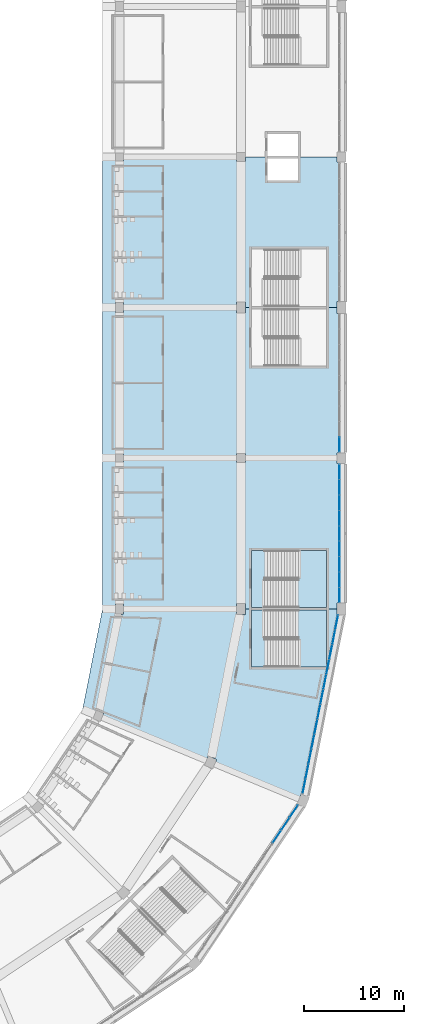
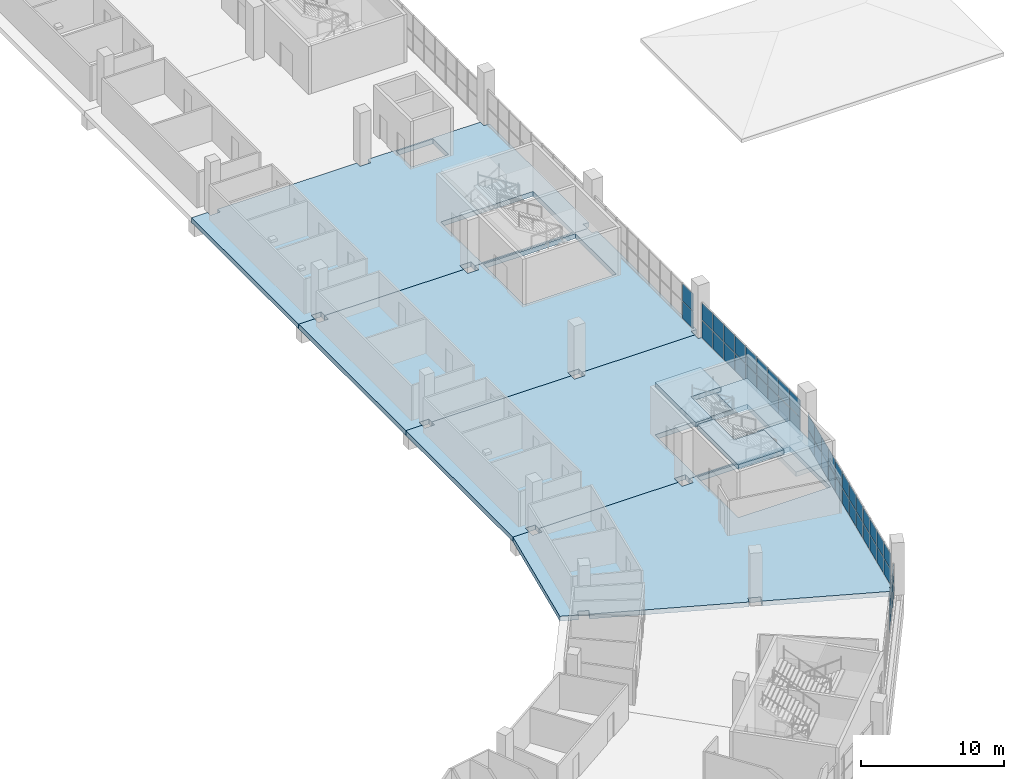
# One storey, part 64 of 199: 50 plates, 8 slabs, 6 elements without a shape of their own.
"""IFC4 building model written with IfcOpenShell, lengths in metres."""

from ifc_helpers import new_model, si_unit, direction, frame, origin, origin_2d, place, context, subcontext, project, spatial, polyline, rectangle, outline, extrude, material, layer, layer_set, type_object, element, aggregate, save


model = new_model("IFC4")

# Units and contexts
model_context = context("Model", 3, precision=1e-05, world=origin(), true_north=direction((0.0, 1.0)))
body_context = subcontext(model_context, "Body", "Model", "MODEL_VIEW")
ifc_project = project(units=[si_unit("LENGTHUNIT", "METRE"), si_unit("AREAUNIT", "SQUARE_METRE"), si_unit("VOLUMEUNIT", "CUBIC_METRE"), si_unit("PLANEANGLEUNIT", "RADIAN"), si_unit("MASSUNIT", "GRAM", prefix="KILO")], contexts=[model_context])

# Site, building, storey
site_placement = place(None, origin())
site = spatial("IfcSite", under=ifc_project, at=site_placement, CompositionType="ELEMENT")
building_placement = place(site_placement, origin())
building = spatial("IfcBuilding", under=site, at=building_placement, Name="Ogive Plaza Stadium", CompositionType="ELEMENT")
storey_placement = place(building_placement, frame((0.0, 0.0, 4.5)))
storey = spatial("IfcBuildingStorey", under=building, at=storey_placement, Name="L01", CompositionType="ELEMENT", Elevation=4.5)

# Curtain wall, plates
ifc_material_1 = material(Name="Bronze-anodised aluminium with laminated glass", Category="aluminium")
curtain_wall_type = type_object("IfcCurtainWallType", Name="Lancet curtain wall", PredefinedType="NOTDEFINED", material=ifc_material_1)
curtain_wall_1_placement = place(storey_placement, origin())
curtain_wall_1 = element("IfcCurtainWall", 1, at=curtain_wall_1_placement, inside=storey, type_object=curtain_wall_type, Name="CURTAIN WALL B06 L01", PredefinedType="NOTDEFINED")
ifc_material_2 = material(Name="Laminated glass", Category="glass")
ifc_layer_1 = layer(ifc_material_2, 0.028076171875)
ifc_layer_set_1 = layer_set([ifc_layer_1], Name="Laminated glass panel 28")
plate_type = type_object("IfcPlateType", Name="Laminated glass panel 28", PredefinedType="CURTAIN_PANEL", material=ifc_layer_set_1)
plate_1_placement = place(storey_placement, frame((83.800048828125, -36.120849609375, 0.0498046875), z_axis=(0.0, 0.0, 1.0), x_axis=(0.0, -1.0, 0.0)))
plate_1 = element("IfcPlate", 2, at=plate_1_placement, type_object=plate_type, Name="CW-B06-L01 panel 9.1", PredefinedType="CURTAIN_PANEL", context=body_context, shape_type="SweptSolid", body=[
    extrude(rectangle(XDim=1.458251953125, YDim=0.028076171875, at=origin_2d()), origin(), (0.0, 0.0, 1.0), 1.469970703125),
])
plate_2_placement = place(storey_placement, frame((83.800048828125, -36.120849609375, 1.56982421875), z_axis=(0.0, 0.0, 1.0), x_axis=(0.0, -1.0, 0.0)))
plate_2 = element("IfcPlate", 3, at=plate_2_placement, type_object=plate_type, Name="CW-B06-L01 panel 9.2", PredefinedType="CURTAIN_PANEL", context=body_context, shape_type="SweptSolid", body=[
    extrude(rectangle(XDim=1.458251953125, YDim=0.028076171875, at=origin_2d()), origin(), (0.0, 0.0, 1.0), 1.469970703125),
])
aggregate(curtain_wall_1, [plate_1, plate_2])

curtain_wall_2_placement = place(storey_placement, origin())
curtain_wall_2 = element("IfcCurtainWall", 4, at=curtain_wall_2_placement, inside=storey, type_object=curtain_wall_type, Name="CURTAIN WALL B07 L01", PredefinedType="NOTDEFINED")
plate_3_placement = place(storey_placement, frame((83.800048828125, -38.879150390625, 0.0498046875), z_axis=(0.0, 0.0, 1.0), x_axis=(0.0, -1.0, 0.0)))
plate_3 = element("IfcPlate", 5, at=plate_3_placement, type_object=plate_type, Name="CW-B07-L01 panel 1.1", PredefinedType="CURTAIN_PANEL", context=body_context, shape_type="SweptSolid", body=[
    extrude(rectangle(XDim=1.458251953125, YDim=0.028076171875, at=origin_2d()), origin(), (0.0, 0.0, 1.0), 1.469970703125),
])
plate_4_placement = place(storey_placement, frame((83.800048828125, -38.879150390625, 1.56982421875), z_axis=(0.0, 0.0, 1.0), x_axis=(0.0, -1.0, 0.0)))
plate_4 = element("IfcPlate", 6, at=plate_4_placement, type_object=plate_type, Name="CW-B07-L01 panel 1.2", PredefinedType="CURTAIN_PANEL", context=body_context, shape_type="SweptSolid", body=[
    extrude(rectangle(XDim=1.458251953125, YDim=0.028076171875, at=origin_2d()), origin(), (0.0, 0.0, 1.0), 1.469970703125),
])
plate_5_placement = place(storey_placement, frame((83.800048828125, -40.39990234375, 0.0498046875), z_axis=(0.0, 0.0, 1.0), x_axis=(0.0, -1.0, 0.0)))
plate_5 = element("IfcPlate", 7, at=plate_5_placement, type_object=plate_type, Name="CW-B07-L01 panel 2.1", PredefinedType="CURTAIN_PANEL", context=body_context, shape_type="SweptSolid", body=[
    extrude(rectangle(XDim=1.4833984375, YDim=0.028076171875, at=origin_2d()), origin(), (0.0, 0.0, 1.0), 1.469970703125),
])
plate_6_placement = place(storey_placement, frame((83.800048828125, -40.39990234375, 1.56982421875), z_axis=(0.0, 0.0, 1.0), x_axis=(0.0, -1.0, 0.0)))
plate_6 = element("IfcPlate", 8, at=plate_6_placement, type_object=plate_type, Name="CW-B07-L01 panel 2.2", PredefinedType="CURTAIN_PANEL", context=body_context, shape_type="SweptSolid", body=[
    extrude(rectangle(XDim=1.4833984375, YDim=0.028076171875, at=origin_2d()), origin(), (0.0, 0.0, 1.0), 1.469970703125),
])
plate_7_placement = place(storey_placement, frame((83.800048828125, -41.933349609375, 0.0498046875), z_axis=(0.0, 0.0, 1.0), x_axis=(0.0, -1.0, 0.0)))
plate_7 = element("IfcPlate", 9, at=plate_7_placement, type_object=plate_type, Name="CW-B07-L01 panel 3.1", PredefinedType="CURTAIN_PANEL", context=body_context, shape_type="SweptSolid", body=[
    extrude(rectangle(XDim=1.4833984375, YDim=0.028076171875, at=origin_2d()), origin(), (0.0, 0.0, 1.0), 1.469970703125),
])
plate_8_placement = place(storey_placement, frame((83.800048828125, -41.933349609375, 1.56982421875), z_axis=(0.0, 0.0, 1.0), x_axis=(0.0, -1.0, 0.0)))
plate_8 = element("IfcPlate", 10, at=plate_8_placement, type_object=plate_type, Name="CW-B07-L01 panel 3.2", PredefinedType="CURTAIN_PANEL", context=body_context, shape_type="SweptSolid", body=[
    extrude(rectangle(XDim=1.4833984375, YDim=0.028076171875, at=origin_2d()), origin(), (0.0, 0.0, 1.0), 1.469970703125),
])
plate_9_placement = place(storey_placement, frame((83.800048828125, -43.466552734375, 0.0498046875), z_axis=(0.0, 0.0, 1.0), x_axis=(0.0, -1.0, 0.0)))
plate_9 = element("IfcPlate", 11, at=plate_9_placement, type_object=plate_type, Name="CW-B07-L01 panel 4.1", PredefinedType="CURTAIN_PANEL", context=body_context, shape_type="SweptSolid", body=[
    extrude(rectangle(XDim=1.4833984375, YDim=0.028076171875, at=origin_2d()), origin(), (0.0, 0.0, 1.0), 1.469970703125),
])
plate_10_placement = place(storey_placement, frame((83.800048828125, -43.466552734375, 1.56982421875), z_axis=(0.0, 0.0, 1.0), x_axis=(0.0, -1.0, 0.0)))
plate_10 = element("IfcPlate", 12, at=plate_10_placement, type_object=plate_type, Name="CW-B07-L01 panel 4.2", PredefinedType="CURTAIN_PANEL", context=body_context, shape_type="SweptSolid", body=[
    extrude(rectangle(XDim=1.4833984375, YDim=0.028076171875, at=origin_2d()), origin(), (0.0, 0.0, 1.0), 1.469970703125),
])
plate_11_placement = place(storey_placement, frame((83.800048828125, -45.0, 0.0498046875), z_axis=(0.0, 0.0, 1.0), x_axis=(0.0, -1.0, 0.0)))
plate_11 = element("IfcPlate", 13, at=plate_11_placement, type_object=plate_type, Name="CW-B07-L01 panel 5.1", PredefinedType="CURTAIN_PANEL", context=body_context, shape_type="SweptSolid", body=[
    extrude(rectangle(XDim=1.4833984375, YDim=0.028076171875, at=origin_2d()), origin(), (0.0, 0.0, 1.0), 1.469970703125),
])
plate_12_placement = place(storey_placement, frame((83.800048828125, -45.0, 1.56982421875), z_axis=(0.0, 0.0, 1.0), x_axis=(0.0, -1.0, 0.0)))
plate_12 = element("IfcPlate", 14, at=plate_12_placement, type_object=plate_type, Name="CW-B07-L01 panel 5.2", PredefinedType="CURTAIN_PANEL", context=body_context, shape_type="SweptSolid", body=[
    extrude(rectangle(XDim=1.4833984375, YDim=0.028076171875, at=origin_2d()), origin(), (0.0, 0.0, 1.0), 1.469970703125),
])
plate_13_placement = place(storey_placement, frame((83.800048828125, -46.533447265625, 0.0498046875), z_axis=(0.0, 0.0, 1.0), x_axis=(0.0, -1.0, 0.0)))
plate_13 = element("IfcPlate", 15, at=plate_13_placement, type_object=plate_type, Name="CW-B07-L01 panel 6.1", PredefinedType="CURTAIN_PANEL", context=body_context, shape_type="SweptSolid", body=[
    extrude(rectangle(XDim=1.4833984375, YDim=0.028076171875, at=origin_2d()), origin(), (0.0, 0.0, 1.0), 1.469970703125),
])
plate_14_placement = place(storey_placement, frame((83.800048828125, -46.533447265625, 1.56982421875), z_axis=(0.0, 0.0, 1.0), x_axis=(0.0, -1.0, 0.0)))
plate_14 = element("IfcPlate", 16, at=plate_14_placement, type_object=plate_type, Name="CW-B07-L01 panel 6.2", PredefinedType="CURTAIN_PANEL", context=body_context, shape_type="SweptSolid", body=[
    extrude(rectangle(XDim=1.4833984375, YDim=0.028076171875, at=origin_2d()), origin(), (0.0, 0.0, 1.0), 1.469970703125),
])
plate_15_placement = place(storey_placement, frame((83.800048828125, -48.066650390625, 0.0498046875), z_axis=(0.0, 0.0, 1.0), x_axis=(0.0, -1.0, 0.0)))
plate_15 = element("IfcPlate", 17, at=plate_15_placement, type_object=plate_type, Name="CW-B07-L01 panel 7.1", PredefinedType="CURTAIN_PANEL", context=body_context, shape_type="SweptSolid", body=[
    extrude(rectangle(XDim=1.4833984375, YDim=0.028076171875, at=origin_2d()), origin(), (0.0, 0.0, 1.0), 1.469970703125),
])
plate_16_placement = place(storey_placement, frame((83.800048828125, -48.066650390625, 1.56982421875), z_axis=(0.0, 0.0, 1.0), x_axis=(0.0, -1.0, 0.0)))
plate_16 = element("IfcPlate", 18, at=plate_16_placement, type_object=plate_type, Name="CW-B07-L01 panel 7.2", PredefinedType="CURTAIN_PANEL", context=body_context, shape_type="SweptSolid", body=[
    extrude(rectangle(XDim=1.4833984375, YDim=0.028076171875, at=origin_2d()), origin(), (0.0, 0.0, 1.0), 1.469970703125),
])
plate_17_placement = place(storey_placement, frame((83.800048828125, -49.60009765625, 0.0498046875), z_axis=(0.0, 0.0, 1.0), x_axis=(0.0, -1.0, 0.0)))
plate_17 = element("IfcPlate", 19, at=plate_17_placement, type_object=plate_type, Name="CW-B07-L01 panel 8.1", PredefinedType="CURTAIN_PANEL", context=body_context, shape_type="SweptSolid", body=[
    extrude(rectangle(XDim=1.4833984375, YDim=0.028076171875, at=origin_2d()), origin(), (0.0, 0.0, 1.0), 1.469970703125),
])
plate_18_placement = place(storey_placement, frame((83.800048828125, -49.60009765625, 1.56982421875), z_axis=(0.0, 0.0, 1.0), x_axis=(0.0, -1.0, 0.0)))
plate_18 = element("IfcPlate", 20, at=plate_18_placement, type_object=plate_type, Name="CW-B07-L01 panel 8.2", PredefinedType="CURTAIN_PANEL", context=body_context, shape_type="SweptSolid", body=[
    extrude(rectangle(XDim=1.4833984375, YDim=0.028076171875, at=origin_2d()), origin(), (0.0, 0.0, 1.0), 1.469970703125),
])
plate_19_placement = place(storey_placement, frame((83.800048828125, -51.120849609375, 0.0498046875), z_axis=(0.0, 0.0, 1.0), x_axis=(0.0, -1.0, 0.0)))
plate_19 = element("IfcPlate", 21, at=plate_19_placement, type_object=plate_type, Name="CW-B07-L01 panel 9.1", PredefinedType="CURTAIN_PANEL", context=body_context, shape_type="SweptSolid", body=[
    extrude(rectangle(XDim=1.458251953125, YDim=0.028076171875, at=origin_2d()), origin(), (0.0, 0.0, 1.0), 1.469970703125),
])
plate_20_placement = place(storey_placement, frame((83.800048828125, -51.120849609375, 1.56982421875), z_axis=(0.0, 0.0, 1.0), x_axis=(0.0, -1.0, 0.0)))
plate_20 = element("IfcPlate", 22, at=plate_20_placement, type_object=plate_type, Name="CW-B07-L01 panel 9.2", PredefinedType="CURTAIN_PANEL", context=body_context, shape_type="SweptSolid", body=[
    extrude(rectangle(XDim=1.458251953125, YDim=0.028076171875, at=origin_2d()), origin(), (0.0, 0.0, 1.0), 1.469970703125),
])
aggregate(curtain_wall_2, [plate_3, plate_4, plate_5, plate_6, plate_7, plate_8, plate_9, plate_10, plate_11, plate_12, plate_13, plate_14, plate_15, plate_16, plate_17, plate_18, plate_19, plate_20])

curtain_wall_3_placement = place(storey_placement, origin())
curtain_wall_3 = element("IfcCurtainWall", 23, at=curtain_wall_3_placement, inside=storey, type_object=curtain_wall_type, Name="CURTAIN WALL B08 L01", PredefinedType="NOTDEFINED")
plate_21_placement = place(storey_placement, frame((83.522705078125, -53.874267578125, 0.0498046875), z_axis=(0.0, 0.0, 1.0), x_axis=(-0.195090322016, -0.980785280403, 0.0)))
plate_21 = element("IfcPlate", 24, at=plate_21_placement, type_object=plate_type, Name="CW-B08-L01 panel 1.1", PredefinedType="CURTAIN_PANEL", context=body_context, shape_type="SweptSolid", body=[
    extrude(rectangle(XDim=1.43896484375, YDim=0.028076171875, at=origin_2d()), origin(), (0.0, 0.0, 1.0), 1.320068359375),
])
plate_22_placement = place(storey_placement, frame((83.522705078125, -53.874267578125, 1.419921875), z_axis=(0.0, 0.0, 1.0), x_axis=(-0.195090322016, -0.980785280403, 0.0)))
plate_22 = element("IfcPlate", 25, at=plate_22_placement, type_object=plate_type, Name="CW-B08-L01 panel 1.2", PredefinedType="CURTAIN_PANEL", context=body_context, shape_type="SweptSolid", body=[
    extrude(rectangle(XDim=1.43896484375, YDim=0.028076171875, at=origin_2d()), origin(), (0.0, 0.0, 1.0), 1.320068359375),
])
plate_23_placement = place(storey_placement, frame((83.229736328125, -55.3466796875, 0.0498046875), z_axis=(0.0, 0.0, 1.0), x_axis=(-0.195090322016, -0.980785280403, 0.0)))
plate_23 = element("IfcPlate", 26, at=plate_23_placement, type_object=plate_type, Name="CW-B08-L01 panel 2.1", PredefinedType="CURTAIN_PANEL", context=body_context, shape_type="SweptSolid", body=[
    extrude(rectangle(XDim=1.4638671875, YDim=0.028076171875, at=origin_2d()), origin(), (0.0, 0.0, 1.0), 1.320068359375),
])
plate_24_placement = place(storey_placement, frame((83.229736328125, -55.3466796875, 1.419921875), z_axis=(0.0, 0.0, 1.0), x_axis=(-0.195090322016, -0.980785280403, 0.0)))
plate_24 = element("IfcPlate", 27, at=plate_24_placement, type_object=plate_type, Name="CW-B08-L01 panel 2.2", PredefinedType="CURTAIN_PANEL", context=body_context, shape_type="SweptSolid", body=[
    extrude(rectangle(XDim=1.4638671875, YDim=0.028076171875, at=origin_2d()), origin(), (0.0, 0.0, 1.0), 1.320068359375),
])
plate_25_placement = place(storey_placement, frame((82.9345703125, -56.831298828125, 0.0498046875), z_axis=(0.0, 0.0, 1.0), x_axis=(-0.195090322016, -0.980785280403, 0.0)))
plate_25 = element("IfcPlate", 28, at=plate_25_placement, type_object=plate_type, Name="CW-B08-L01 panel 3.1", PredefinedType="CURTAIN_PANEL", context=body_context, shape_type="SweptSolid", body=[
    extrude(rectangle(XDim=1.4638671875, YDim=0.028076171875, at=origin_2d()), origin(), (0.0, 0.0, 1.0), 1.320068359375),
])
plate_26_placement = place(storey_placement, frame((82.9345703125, -56.831298828125, 1.419921875), z_axis=(0.0, 0.0, 1.0), x_axis=(-0.195090322016, -0.980785280403, 0.0)))
plate_26 = element("IfcPlate", 29, at=plate_26_placement, type_object=plate_type, Name="CW-B08-L01 panel 3.2", PredefinedType="CURTAIN_PANEL", context=body_context, shape_type="SweptSolid", body=[
    extrude(rectangle(XDim=1.4638671875, YDim=0.028076171875, at=origin_2d()), origin(), (0.0, 0.0, 1.0), 1.320068359375),
])
plate_27_placement = place(storey_placement, frame((82.63916015625, -58.316162109375, 0.0498046875), z_axis=(0.0, 0.0, 1.0), x_axis=(-0.195090322016, -0.980785280403, 0.0)))
plate_27 = element("IfcPlate", 30, at=plate_27_placement, type_object=plate_type, Name="CW-B08-L01 panel 4.1", PredefinedType="CURTAIN_PANEL", context=body_context, shape_type="SweptSolid", body=[
    extrude(rectangle(XDim=1.4638671875, YDim=0.028076171875, at=origin_2d()), origin(), (0.0, 0.0, 1.0), 1.320068359375),
])
plate_28_placement = place(storey_placement, frame((82.63916015625, -58.316162109375, 1.419921875), z_axis=(0.0, 0.0, 1.0), x_axis=(-0.195090322016, -0.980785280403, 0.0)))
plate_28 = element("IfcPlate", 31, at=plate_28_placement, type_object=plate_type, Name="CW-B08-L01 panel 4.2", PredefinedType="CURTAIN_PANEL", context=body_context, shape_type="SweptSolid", body=[
    extrude(rectangle(XDim=1.4638671875, YDim=0.028076171875, at=origin_2d()), origin(), (0.0, 0.0, 1.0), 1.320068359375),
])
plate_29_placement = place(storey_placement, frame((82.34375, -59.801025390625, 0.0498046875), z_axis=(0.0, 0.0, 1.0), x_axis=(-0.195090322016, -0.980785280403, 0.0)))
plate_29 = element("IfcPlate", 32, at=plate_29_placement, type_object=plate_type, Name="CW-B08-L01 panel 5.1", PredefinedType="CURTAIN_PANEL", context=body_context, shape_type="SweptSolid", body=[
    extrude(rectangle(XDim=1.4638671875, YDim=0.028076171875, at=origin_2d()), origin(), (0.0, 0.0, 1.0), 1.320068359375),
])
plate_30_placement = place(storey_placement, frame((82.34375, -59.801025390625, 1.419921875), z_axis=(0.0, 0.0, 1.0), x_axis=(-0.195090322016, -0.980785280403, 0.0)))
plate_30 = element("IfcPlate", 33, at=plate_30_placement, type_object=plate_type, Name="CW-B08-L01 panel 5.2", PredefinedType="CURTAIN_PANEL", context=body_context, shape_type="SweptSolid", body=[
    extrude(rectangle(XDim=1.4638671875, YDim=0.028076171875, at=origin_2d()), origin(), (0.0, 0.0, 1.0), 1.320068359375),
])
plate_31_placement = place(storey_placement, frame((82.048583984375, -61.28564453125, 0.0498046875), z_axis=(0.0, 0.0, 1.0), x_axis=(-0.195090322016, -0.980785280403, 0.0)))
plate_31 = element("IfcPlate", 34, at=plate_31_placement, type_object=plate_type, Name="CW-B08-L01 panel 6.1", PredefinedType="CURTAIN_PANEL", context=body_context, shape_type="SweptSolid", body=[
    extrude(rectangle(XDim=1.4638671875, YDim=0.028076171875, at=origin_2d()), origin(), (0.0, 0.0, 1.0), 1.320068359375),
])
plate_32_placement = place(storey_placement, frame((82.048583984375, -61.28564453125, 1.419921875), z_axis=(0.0, 0.0, 1.0), x_axis=(-0.195090322016, -0.980785280403, 0.0)))
plate_32 = element("IfcPlate", 35, at=plate_32_placement, type_object=plate_type, Name="CW-B08-L01 panel 6.2", PredefinedType="CURTAIN_PANEL", context=body_context, shape_type="SweptSolid", body=[
    extrude(rectangle(XDim=1.4638671875, YDim=0.028076171875, at=origin_2d()), origin(), (0.0, 0.0, 1.0), 1.320068359375),
])
plate_33_placement = place(storey_placement, frame((81.753173828125, -62.7705078125, 0.0498046875), z_axis=(0.0, 0.0, 1.0), x_axis=(-0.195090322016, -0.980785280403, 0.0)))
plate_33 = element("IfcPlate", 36, at=plate_33_placement, type_object=plate_type, Name="CW-B08-L01 panel 7.1", PredefinedType="CURTAIN_PANEL", context=body_context, shape_type="SweptSolid", body=[
    extrude(rectangle(XDim=1.4638671875, YDim=0.028076171875, at=origin_2d()), origin(), (0.0, 0.0, 1.0), 1.320068359375),
])
plate_34_placement = place(storey_placement, frame((81.753173828125, -62.7705078125, 1.419921875), z_axis=(0.0, 0.0, 1.0), x_axis=(-0.195090322016, -0.980785280403, 0.0)))
plate_34 = element("IfcPlate", 37, at=plate_34_placement, type_object=plate_type, Name="CW-B08-L01 panel 7.2", PredefinedType="CURTAIN_PANEL", context=body_context, shape_type="SweptSolid", body=[
    extrude(rectangle(XDim=1.4638671875, YDim=0.028076171875, at=origin_2d()), origin(), (0.0, 0.0, 1.0), 1.320068359375),
])
plate_35_placement = place(storey_placement, frame((81.457763671875, -64.255126953125, 0.0498046875), z_axis=(0.0, 0.0, 1.0), x_axis=(-0.195090322016, -0.980785280403, 0.0)))
plate_35 = element("IfcPlate", 38, at=plate_35_placement, type_object=plate_type, Name="CW-B08-L01 panel 8.1", PredefinedType="CURTAIN_PANEL", context=body_context, shape_type="SweptSolid", body=[
    extrude(rectangle(XDim=1.4638671875, YDim=0.028076171875, at=origin_2d()), origin(), (0.0, 0.0, 1.0), 1.320068359375),
])
plate_36_placement = place(storey_placement, frame((81.457763671875, -64.255126953125, 1.419921875), z_axis=(0.0, 0.0, 1.0), x_axis=(-0.195090322016, -0.980785280403, 0.0)))
plate_36 = element("IfcPlate", 39, at=plate_36_placement, type_object=plate_type, Name="CW-B08-L01 panel 8.2", PredefinedType="CURTAIN_PANEL", context=body_context, shape_type="SweptSolid", body=[
    extrude(rectangle(XDim=1.4638671875, YDim=0.028076171875, at=origin_2d()), origin(), (0.0, 0.0, 1.0), 1.320068359375),
])
plate_37_placement = place(storey_placement, frame((81.16259765625, -65.739990234375, 0.0498046875), z_axis=(0.0, 0.0, 1.0), x_axis=(-0.195090322016, -0.980785280403, 0.0)))
plate_37 = element("IfcPlate", 40, at=plate_37_placement, type_object=plate_type, Name="CW-B08-L01 panel 9.1", PredefinedType="CURTAIN_PANEL", context=body_context, shape_type="SweptSolid", body=[
    extrude(rectangle(XDim=1.4638671875, YDim=0.028076171875, at=origin_2d()), origin(), (0.0, 0.0, 1.0), 1.320068359375),
])
plate_38_placement = place(storey_placement, frame((81.16259765625, -65.739990234375, 1.419921875), z_axis=(0.0, 0.0, 1.0), x_axis=(-0.195090322016, -0.980785280403, 0.0)))
plate_38 = element("IfcPlate", 41, at=plate_38_placement, type_object=plate_type, Name="CW-B08-L01 panel 9.2", PredefinedType="CURTAIN_PANEL", context=body_context, shape_type="SweptSolid", body=[
    extrude(rectangle(XDim=1.4638671875, YDim=0.028076171875, at=origin_2d()), origin(), (0.0, 0.0, 1.0), 1.320068359375),
])
plate_39_placement = place(storey_placement, frame((80.8671875, -67.224609375, 0.0498046875), z_axis=(0.0, 0.0, 1.0), x_axis=(-0.195090322016, -0.980785280403, 0.0)))
plate_39 = element("IfcPlate", 42, at=plate_39_placement, type_object=plate_type, Name="CW-B08-L01 panel 10.1", PredefinedType="CURTAIN_PANEL", context=body_context, shape_type="SweptSolid", body=[
    extrude(rectangle(XDim=1.4638671875, YDim=0.028076171875, at=origin_2d()), origin(), (0.0, 0.0, 1.0), 1.320068359375),
])
plate_40_placement = place(storey_placement, frame((80.8671875, -67.224609375, 1.419921875), z_axis=(0.0, 0.0, 1.0), x_axis=(-0.195090322016, -0.980785280403, 0.0)))
plate_40 = element("IfcPlate", 43, at=plate_40_placement, type_object=plate_type, Name="CW-B08-L01 panel 10.2", PredefinedType="CURTAIN_PANEL", context=body_context, shape_type="SweptSolid", body=[
    extrude(rectangle(XDim=1.4638671875, YDim=0.028076171875, at=origin_2d()), origin(), (0.0, 0.0, 1.0), 1.320068359375),
])
plate_41_placement = place(storey_placement, frame((80.57177734375, -68.70947265625, 0.0498046875), z_axis=(0.0, 0.0, 1.0), x_axis=(-0.195090322016, -0.980785280403, 0.0)))
plate_41 = element("IfcPlate", 44, at=plate_41_placement, type_object=plate_type, Name="CW-B08-L01 panel 11.1", PredefinedType="CURTAIN_PANEL", context=body_context, shape_type="SweptSolid", body=[
    extrude(rectangle(XDim=1.4638671875, YDim=0.028076171875, at=origin_2d()), origin(), (0.0, 0.0, 1.0), 1.320068359375),
])
plate_42_placement = place(storey_placement, frame((80.57177734375, -68.70947265625, 1.419921875), z_axis=(0.0, 0.0, 1.0), x_axis=(-0.195090322016, -0.980785280403, 0.0)))
plate_42 = element("IfcPlate", 45, at=plate_42_placement, type_object=plate_type, Name="CW-B08-L01 panel 11.2", PredefinedType="CURTAIN_PANEL", context=body_context, shape_type="SweptSolid", body=[
    extrude(rectangle(XDim=1.4638671875, YDim=0.028076171875, at=origin_2d()), origin(), (0.0, 0.0, 1.0), 1.320068359375),
])
plate_43_placement = place(storey_placement, frame((80.27880859375, -70.181884765625, 0.0498046875), z_axis=(0.0, 0.0, 1.0), x_axis=(-0.195090322016, -0.980785280403, 0.0)))
plate_43 = element("IfcPlate", 46, at=plate_43_placement, type_object=plate_type, Name="CW-B08-L01 panel 12.1", PredefinedType="CURTAIN_PANEL", context=body_context, shape_type="SweptSolid", body=[
    extrude(rectangle(XDim=1.43896484375, YDim=0.028076171875, at=origin_2d()), origin(), (0.0, 0.0, 1.0), 1.320068359375),
])
plate_44_placement = place(storey_placement, frame((80.27880859375, -70.181884765625, 1.419921875), z_axis=(0.0, 0.0, 1.0), x_axis=(-0.195090322016, -0.980785280403, 0.0)))
plate_44 = element("IfcPlate", 47, at=plate_44_placement, type_object=plate_type, Name="CW-B08-L01 panel 12.2", PredefinedType="CURTAIN_PANEL", context=body_context, shape_type="SweptSolid", body=[
    extrude(rectangle(XDim=1.43896484375, YDim=0.028076171875, at=origin_2d()), origin(), (0.0, 0.0, 1.0), 1.320068359375),
])
aggregate(curtain_wall_3, [plate_21, plate_22, plate_23, plate_24, plate_25, plate_26, plate_27, plate_28, plate_29, plate_30, plate_31, plate_32, plate_33, plate_34, plate_35, plate_36, plate_37, plate_38, plate_39, plate_40, plate_41, plate_42, plate_43, plate_44])

curtain_wall_4_placement = place(storey_placement, origin())
curtain_wall_4 = element("IfcCurtainWall", 48, at=curtain_wall_4_placement, inside=storey, type_object=curtain_wall_type, Name="CURTAIN WALL B09 L01", PredefinedType="NOTDEFINED")
plate_45_placement = place(storey_placement, frame((79.253173828125, -72.68212890625, 0.0498046875), z_axis=(0.0, 0.0, 1.0), x_axis=(-0.55557023302, -0.831469612303, 0.0)))
plate_45 = element("IfcPlate", 49, at=plate_45_placement, type_object=plate_type, Name="CW-B09-L01 panel 1.1", PredefinedType="CURTAIN_PANEL", context=body_context, shape_type="SweptSolid", body=[
    extrude(rectangle(XDim=1.447265625, YDim=0.028076171875, at=origin_2d()), origin(), (0.0, 0.0, 1.0), 1.320068359375),
])
plate_46_placement = place(storey_placement, frame((79.253173828125, -72.68212890625, 1.419921875), z_axis=(0.0, 0.0, 1.0), x_axis=(-0.55557023302, -0.831469612303, 0.0)))
plate_46 = element("IfcPlate", 50, at=plate_46_placement, type_object=plate_type, Name="CW-B09-L01 panel 1.2", PredefinedType="CURTAIN_PANEL", context=body_context, shape_type="SweptSolid", body=[
    extrude(rectangle(XDim=1.447265625, YDim=0.028076171875, at=origin_2d()), origin(), (0.0, 0.0, 1.0), 1.320068359375),
])
plate_47_placement = place(storey_placement, frame((78.414306640625, -73.9375, 0.0498046875), z_axis=(0.0, 0.0, 1.0), x_axis=(-0.55557023302, -0.831469612303, 0.0)))
plate_47 = element("IfcPlate", 51, at=plate_47_placement, type_object=plate_type, Name="CW-B09-L01 panel 2.1", PredefinedType="CURTAIN_PANEL", context=body_context, shape_type="SweptSolid", body=[
    extrude(rectangle(XDim=1.472412109375, YDim=0.028076171875, at=origin_2d()), origin(), (0.0, 0.0, 1.0), 1.320068359375),
])
plate_48_placement = place(storey_placement, frame((78.414306640625, -73.9375, 1.419921875), z_axis=(0.0, 0.0, 1.0), x_axis=(-0.55557023302, -0.831469612303, 0.0)))
plate_48 = element("IfcPlate", 52, at=plate_48_placement, type_object=plate_type, Name="CW-B09-L01 panel 2.2", PredefinedType="CURTAIN_PANEL", context=body_context, shape_type="SweptSolid", body=[
    extrude(rectangle(XDim=1.472412109375, YDim=0.028076171875, at=origin_2d()), origin(), (0.0, 0.0, 1.0), 1.320068359375),
])
plate_49_placement = place(storey_placement, frame((77.568603515625, -75.203369140625, 0.0498046875), z_axis=(0.0, 0.0, 1.0), x_axis=(-0.55557023302, -0.831469612303, 0.0)))
plate_49 = element("IfcPlate", 53, at=plate_49_placement, type_object=plate_type, Name="CW-B09-L01 panel 3.1", PredefinedType="CURTAIN_PANEL", context=body_context, shape_type="SweptSolid", body=[
    extrude(rectangle(XDim=1.472412109375, YDim=0.028076171875, at=origin_2d()), origin(), (0.0, 0.0, 1.0), 1.320068359375),
])
plate_50_placement = place(storey_placement, frame((77.568603515625, -75.203369140625, 1.419921875), z_axis=(0.0, 0.0, 1.0), x_axis=(-0.55557023302, -0.831469612303, 0.0)))
plate_50 = element("IfcPlate", 54, at=plate_50_placement, type_object=plate_type, Name="CW-B09-L01 panel 3.2", PredefinedType="CURTAIN_PANEL", context=body_context, shape_type="SweptSolid", body=[
    extrude(rectangle(XDim=1.472412109375, YDim=0.028076171875, at=origin_2d()), origin(), (0.0, 0.0, 1.0), 1.320068359375),
])
aggregate(curtain_wall_4, [plate_45, plate_46, plate_47, plate_48, plate_49, plate_50])

# Slabs
ifc_material_3 = material(Name="Concrete C40/50", Category="concrete")
ifc_layer_2 = layer(ifc_material_3, 0.409912109375)
ifc_layer_set_2 = layer_set([ifc_layer_2], Name="Concrete C40/50")
slab_type_1 = type_object("IfcSlabType", Name="RC floor slab 410", PredefinedType="FLOOR", material=ifc_layer_set_2)
slab_1_placement = place(storey_placement, frame((0.0, 0.0, -0.409912109375)))
element("IfcSlab", 55, at=slab_1_placement, inside=storey, type_object=slab_type_1, Name="Floor slab L01 B05", PredefinedType="FLOOR", context=body_context, shape_type="SweptSolid", body=[
    extrude(outline(polyline([(61.5, -22.5), (61.5, -22.0), (62.300048828125, -22.0), (62.300048828125, -22.5), (73.550048828125, -22.5), (73.550048828125, -21.949951171875), (74.449951171875, -21.949951171875), (74.449951171875, -22.5), (83.550048828125, -22.5), (83.550048828125, -21.89990234375), (84.0, -21.89990234375), (84.0, -8.0), (83.550048828125, -8.0), (83.550048828125, -7.5), (74.449951171875, -7.5), (74.449951171875, -7.949951171875), (73.550048828125, -7.949951171875), (73.550048828125, -7.5), (62.300048828125, -7.5), (62.300048828125, -7.89990234375), (61.5, -7.89990234375), (61.5, -7.5), (60.199951171875, -7.5), (60.199951171875, -22.5), (61.5, -22.5)]), holes=[polyline([(75.050048828125, -16.675048828125), (75.050048828125, -22.375), (82.510009765625, -22.375), (82.510009765625, -16.675048828125), (75.050048828125, -16.675048828125)]), polyline([(76.64990234375, -7.625), (76.64990234375, -9.824951171875), (79.64990234375, -9.824951171875), (79.64990234375, -7.625), (76.64990234375, -7.625)])]), origin(), (0.0, 0.0, 1.0), 0.409912109375),
])
slab_2_placement = place(storey_placement, frame((0.0, 0.0, -0.409912109375)))
element("IfcSlab", 56, at=slab_2_placement, inside=storey, type_object=slab_type_1, Name="Floor slab L01 B06", PredefinedType="FLOOR", context=body_context, shape_type="SweptSolid", body=[
    extrude(outline(polyline([(61.5, -37.5), (61.5, -37.10009765625), (62.300048828125, -37.10009765625), (62.300048828125, -37.5), (73.550048828125, -37.5), (73.550048828125, -37.050048828125), (74.449951171875, -37.050048828125), (74.449951171875, -37.5), (83.550048828125, -37.5), (83.550048828125, -37.0), (84.0, -37.0), (84.0, -23.10009765625), (83.550048828125, -23.10009765625), (83.550048828125, -22.5), (74.449951171875, -22.5), (74.449951171875, -23.050048828125), (73.550048828125, -23.050048828125), (73.550048828125, -22.5), (62.300048828125, -22.5), (62.300048828125, -23.0), (61.5, -23.0), (61.5, -22.5), (60.199951171875, -22.5), (60.199951171875, -37.5), (61.5, -37.5)]), holes=[polyline([(75.050048828125, -22.625), (75.050048828125, -28.324951171875), (82.510009765625, -28.324951171875), (82.510009765625, -22.625), (75.050048828125, -22.625)])]), origin(), (0.0, 0.0, 1.0), 0.409912109375),
])
slab_3_placement = place(storey_placement, frame((0.0, 0.0, -0.409912109375)))
element("IfcSlab", 57, at=slab_3_placement, inside=storey, type_object=slab_type_1, Name="Floor slab L01 B07", PredefinedType="FLOOR", context=body_context, shape_type="SweptSolid", body=[
    extrude(outline(polyline([(61.5, -52.5), (61.5, -52.0), (62.300048828125, -52.0), (62.300048828125, -52.5), (73.550048828125, -52.5), (73.550048828125, -51.949951171875), (74.449951171875, -51.949951171875), (74.449951171875, -52.5), (83.550048828125, -52.5), (83.550048828125, -51.89990234375), (84.0, -51.89990234375), (84.0, -38.0), (83.550048828125, -38.0), (83.550048828125, -37.5), (74.449951171875, -37.5), (74.449951171875, -37.949951171875), (73.550048828125, -37.949951171875), (73.550048828125, -37.5), (62.300048828125, -37.5), (62.300048828125, -37.89990234375), (61.5, -37.89990234375), (61.5, -37.5), (60.199951171875, -37.5), (60.199951171875, -52.5), (61.5, -52.5)]), holes=[polyline([(75.050048828125, -52.375), (82.510009765625, -52.375), (82.510009765625, -46.675048828125), (75.050048828125, -46.675048828125), (75.050048828125, -52.375)])]), origin(), (0.0, 0.0, 1.0), 0.409912109375),
])
slab_4_placement = place(storey_placement, frame((0.0, 0.0, -0.409912109375)))
element("IfcSlab", 58, at=slab_4_placement, inside=storey, type_object=slab_type_1, Name="Floor slab L01 B08", PredefinedType="FLOOR", context=body_context, shape_type="SweptSolid", body=[
    extrude(outline(polyline([(59.40673828125, -63.023681640625), (59.578857421875, -62.608154296875), (60.318115234375, -62.914306640625), (60.145751953125, -63.329833984375), (70.53955078125, -67.635009765625), (70.730712890625, -67.173095703125), (71.562255859375, -67.517578125), (71.370849609375, -67.9794921875), (79.7783203125, -71.4619140625), (79.98876953125, -70.953857421875), (80.303466796875, -71.084228515625), (83.880615234375, -53.10009765625), (83.550048828125, -53.10009765625), (83.550048828125, -52.5), (74.449951171875, -52.5), (74.449951171875, -53.050048828125), (73.550048828125, -53.050048828125), (73.550048828125, -52.5), (62.300048828125, -52.5), (62.300048828125, -53.0), (61.5, -53.0), (61.5, -52.5), (60.199951171875, -52.5), (58.20556640625, -62.5263671875), (59.40673828125, -63.023681640625)]), holes=[polyline([(75.050048828125, -52.625), (75.050048828125, -58.324951171875), (82.510009765625, -58.324951171875), (82.510009765625, -52.625), (75.050048828125, -52.625)])]), origin(), (0.0, 0.0, 1.0), 0.409912109375),
])

# Stair, slabs
ifc_material_4 = material(Name="Concrete C40/50", Category="concrete")
stair_type = type_object("IfcStairType", Name="Exit stair", PredefinedType="STRAIGHT_RUN_STAIR", material=ifc_material_4)
stair_1_placement = place(storey_placement, origin())
stair_1 = element("IfcStair", 59, at=stair_1_placement, inside=storey, type_object=stair_type, Name="Exit stair ST08A L01 to L02", PredefinedType="STRAIGHT_RUN_STAIR")
ifc_material_5 = material(Name="Concrete C40/50", Category="concrete")
ifc_layer_3 = layer(ifc_material_5, 0.39990234375)
ifc_layer_set_3 = layer_set([ifc_layer_3], Name="Concrete C40/50")
slab_type_2 = type_object("IfcSlabType", Name="Stair landing", PredefinedType="LANDING", material=ifc_layer_set_3)
slab_5_placement = place(storey_placement, frame((0.0, 0.0, 1.85009765625)))
slab_5 = element("IfcSlab", 60, at=slab_5_placement, type_object=slab_type_2, Name="ST08A landing 1", PredefinedType="LANDING", context=body_context, shape_type="SweptSolid", body=[
    extrude(outline(polyline([(82.510009765625, -52.625), (82.510009765625, -58.324951171875), (79.7099609375, -58.324951171875), (79.7099609375, -55.425048828125), (77.31005859375, -55.425048828125), (77.31005859375, -52.625), (79.7099609375, -52.625), (82.510009765625, -52.625)])), origin(), (0.0, 0.0, 1.0), 0.39990234375),
])
slab_6_placement = place(storey_placement, frame((0.0, 0.0, 4.10009765625)))
slab_6 = element("IfcSlab", 61, at=slab_6_placement, type_object=slab_type_2, Name="ST08A landing 2", PredefinedType="LANDING", context=body_context, shape_type="SweptSolid", body=[
    extrude(outline(polyline([(78.75, -55.52490234375), (78.75, -58.324951171875), (76.35009765625, -58.324951171875), (75.050048828125, -58.324951171875), (75.050048828125, -52.625), (76.35009765625, -52.625), (76.35009765625, -55.52490234375), (78.75, -55.52490234375)])), origin(), (0.0, 0.0, 1.0), 0.39990234375),
])
aggregate(stair_1, [slab_5, slab_6])

stair_2_placement = place(storey_placement, origin())
stair_2 = element("IfcStair", 62, at=stair_2_placement, inside=storey, type_object=stair_type, Name="Exit stair ST08B L01 to L02", PredefinedType="STRAIGHT_RUN_STAIR")
slab_7_placement = place(storey_placement, frame((0.0, 0.0, 1.85009765625)))
slab_7 = element("IfcSlab", 63, at=slab_7_placement, type_object=slab_type_2, Name="ST08B landing 1", PredefinedType="LANDING", context=body_context, shape_type="SweptSolid", body=[
    extrude(outline(polyline([(77.31005859375, -52.375), (77.31005859375, -49.574951171875), (79.7099609375, -49.574951171875), (79.7099609375, -46.675048828125), (82.510009765625, -46.675048828125), (82.510009765625, -52.375), (79.7099609375, -52.375), (77.31005859375, -52.375)])), origin(), (0.0, 0.0, 1.0), 0.39990234375),
])
slab_8_placement = place(storey_placement, frame((0.0, 0.0, 4.10009765625)))
slab_8 = element("IfcSlab", 64, at=slab_8_placement, type_object=slab_type_2, Name="ST08B landing 2", PredefinedType="LANDING", context=body_context, shape_type="SweptSolid", body=[
    extrude(outline(polyline([(76.35009765625, -52.375), (75.050048828125, -52.375), (75.050048828125, -46.675048828125), (76.35009765625, -46.675048828125), (78.75, -46.675048828125), (78.75, -49.47509765625), (76.35009765625, -49.47509765625), (76.35009765625, -52.375)])), origin(), (0.0, 0.0, 1.0), 0.39990234375),
])
aggregate(stair_2, [slab_7, slab_8])

save(model, "model.ifc")
